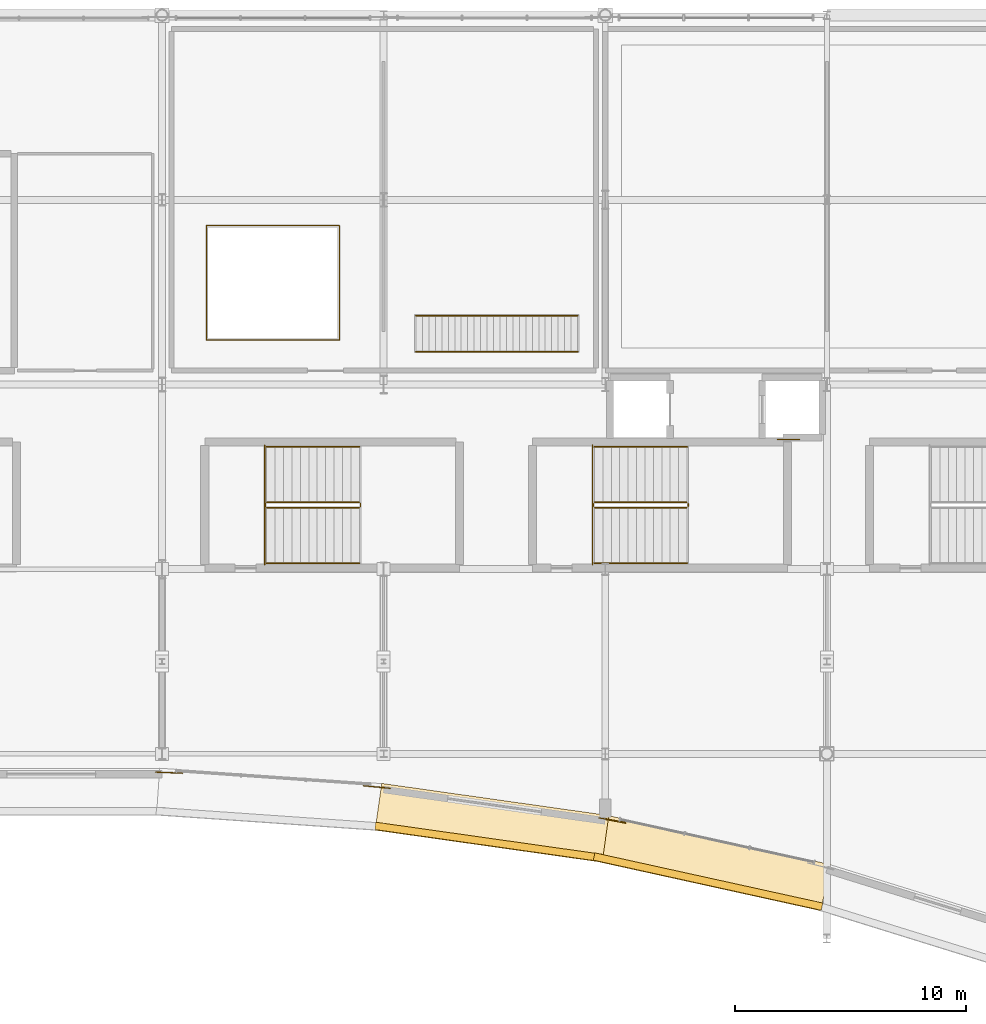
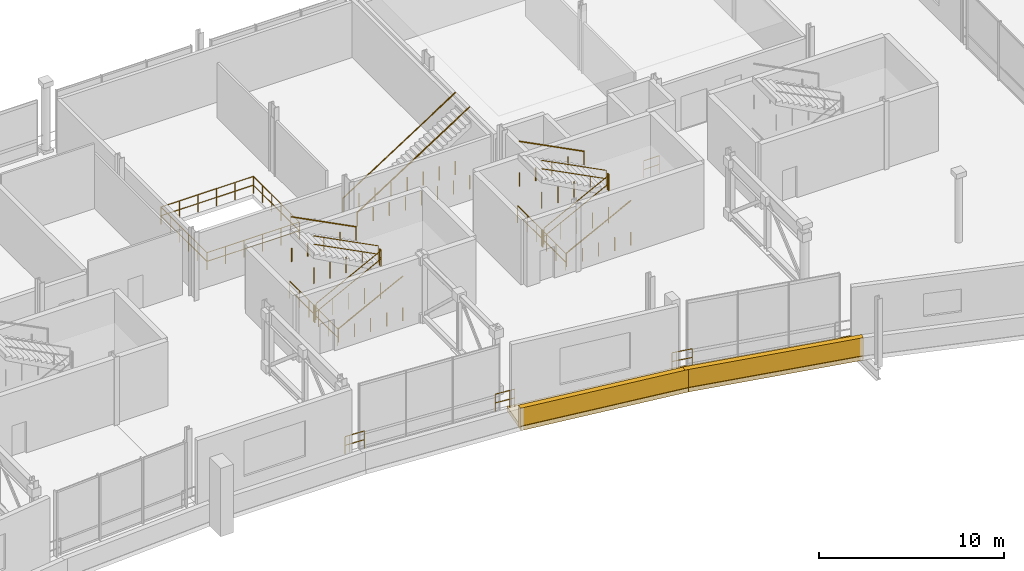
# One storey, part 178 of 193: 21 railings, 4 coverings.
"""IFC4 building model written with IfcOpenShell, lengths in metres."""

import ifcopenshell
import ifcopenshell.guid

model = None  # the IFC model being written
_history = None  # IfcOwnerHistory: only IFC2X3 demands one
_inside = {}  # id of a spatial element -> (the spatial element, [elements in it])
_under = {}  # id of a project, library or spatial element -> (it, [spatial elements below it])
_declared = {}  # id of a project -> (the project, [libraries it declares])
_typed = {}  # id of a type object -> (the type object, [elements of that type])
_made_of = {}  # id of a material, layer set ... -> (it, [elements and type objects made of it])


def new_model(schema):
    """Start an empty IFC model of exactly this schema.

    Asked for "IFC4X3", IfcOpenShell would pick the latest addendum, in which some entities
    have other attributes; the version numbers below select the first issue.
    IFC2X3 requires an IfcOwnerHistory on every rooted entity: one is made here for all.
    """
    global model, _history
    if schema == "IFC4X3":
        model = ifcopenshell.file(schema_version=(4, 3, 0, 0))
    else:
        model = ifcopenshell.file(schema=schema)
    _inside.clear()
    _under.clear()
    _declared.clear()
    _typed.clear()
    _made_of.clear()
    _history = None
    if model.schema == "IFC2X3":
        org = make("IfcOrganization", Name="unknown")
        user = make(
            "IfcPersonAndOrganization",
            ThePerson=make("IfcPerson", FamilyName="unknown"),
            TheOrganization=org,
        )
        app = make(
            "IfcApplication",
            ApplicationDeveloper=org,
            Version="unknown",
            ApplicationFullName="unknown",
            ApplicationIdentifier="unknown",
        )
        _history = make(
            "IfcOwnerHistory",
            OwningUser=user,
            OwningApplication=app,
            ChangeAction="ADDED",
            CreationDate=0,
        )
    return model


def make(cls, **values):
    """One entity of the class cls with the attributes given. An attribute that is None is left unset."""
    return model.create_entity(
        cls, **{name: value for name, value in values.items() if value is not None}
    )


def rooted(cls, **values):
    """An entity with a GlobalId (a new one), such as an element, a storey or a relation."""
    return make(cls, GlobalId=ifcopenshell.guid.new(), OwnerHistory=_history, **values)


def si_unit(unit_type, name, prefix=None):
    """IfcSIUnit, for example si_unit("LENGTHUNIT", "METRE", prefix="MILLI")."""
    return make("IfcSIUnit", UnitType=unit_type, Prefix=prefix, Name=name)


def assignment(units):
    """IfcUnitAssignment: the units of a project."""
    return None if units is None else make("IfcUnitAssignment", Units=units)


def point(xyz):
    """IfcCartesianPoint."""
    return None if xyz is None else make("IfcCartesianPoint", Coordinates=xyz)


def direction(xyz):
    """IfcDirection."""
    return None if xyz is None else make("IfcDirection", DirectionRatios=xyz)


def frame(location, z_axis=None, x_axis=None):
    """IfcAxis2Placement3D, a coordinate frame: its origin and axes. An axis left out is left unset."""
    return make(
        "IfcAxis2Placement3D",
        Location=point(location),
        Axis=direction(z_axis),
        RefDirection=direction(x_axis),
    )


def frame_2d(location, x_axis=None):
    """IfcAxis2Placement2D, a coordinate frame in the plane: its origin and x axis."""
    return make(
        "IfcAxis2Placement2D", Location=point(location), RefDirection=direction(x_axis)
    )


def origin():
    """The frame at (0, 0, 0) with its axes left unset."""
    return frame((0.0, 0.0, 0.0))


def origin_2d():
    """The frame at (0, 0) in the plane with its x axis left unset."""
    return frame_2d((0.0, 0.0))


def place(relative_to, where):
    """IfcLocalPlacement: puts the frame where relative to a parent placement (None: the world)."""
    return make(
        "IfcLocalPlacement", PlacementRelTo=relative_to, RelativePlacement=where
    )


def context(
    kind, dimensions, precision=None, world=None, true_north=None, identifier=None
):
    """IfcGeometricRepresentationContext, for example the 3D "Model" context."""
    return make(
        "IfcGeometricRepresentationContext",
        ContextIdentifier=identifier,
        ContextType=kind,
        CoordinateSpaceDimension=dimensions,
        Precision=precision,
        WorldCoordinateSystem=world,
        TrueNorth=true_north,
    )


def subcontext(parent, identifier, kind, view, scale=None):
    """IfcGeometricRepresentationSubContext, for example "Body" below "Model"."""
    return make(
        "IfcGeometricRepresentationSubContext",
        ContextIdentifier=identifier,
        ContextType=kind,
        ParentContext=parent,
        TargetScale=scale,
        TargetView=view,
    )


def project(units=None, contexts=None):
    """IfcProject with its units and contexts."""
    return rooted(
        "IfcProject",
        Name="project",
        RepresentationContexts=contexts,
        UnitsInContext=assignment(units),
    )


def spatial(cls, under=None, at=None, **own):
    """A site, building, storey or space (cls), placed at a placement, below another one or the project."""
    s = rooted(cls, ObjectPlacement=at, **own)
    if under is not None:
        _under.setdefault(under.id(), (under, []))[1].append(s)
    return s


def profile(cls, at=None, kind="AREA", **sizes):
    """A parametric profile (cls). Its sizes go by their IFC names, for example OverallWidth=200.0."""
    return make(cls, ProfileType=kind, Position=at, **sizes)


def rectangle(**sizes):
    """IfcRectangleProfileDef."""
    return profile("IfcRectangleProfileDef", **sizes)


def circle(**sizes):
    """IfcCircleProfileDef."""
    return profile("IfcCircleProfileDef", **sizes)


def extrude(swept, where, along, depth):
    """IfcExtrudedAreaSolid: the profile swept, set in the frame where, extruded along a direction by depth."""
    return make(
        "IfcExtrudedAreaSolid",
        SweptArea=swept,
        Position=where,
        ExtrudedDirection=direction(along),
        Depth=depth,
    )


def shape(context_of_items, identifier, shape_type, items):
    """IfcShapeRepresentation: the items that make up one representation, for example the "Body"."""
    return make(
        "IfcShapeRepresentation",
        ContextOfItems=context_of_items,
        RepresentationIdentifier=identifier,
        RepresentationType=shape_type,
        Items=items,
    )


def material(Name=None, Category=None):
    """IfcMaterial."""
    return make("IfcMaterial", Name=Name, Category=Category)


def layer(
    of_material, thickness, ventilated=None, Name=None, Category=None, Priority=None
):
    """IfcMaterialLayer: one layer of a wall or slab, of a material (None: an air gap)."""
    return make(
        "IfcMaterialLayer",
        Material=of_material,
        LayerThickness=thickness,
        IsVentilated=ventilated,
        Name=Name,
        Category=Category,
        Priority=Priority,
    )


def layer_set(layers, Name=None):
    """IfcMaterialLayerSet."""
    return make("IfcMaterialLayerSet", MaterialLayers=layers, LayerSetName=Name)


def made_of(thing, what):
    """Note that an element or type object is made of a material, layer set ...; save() writes the relation."""
    if what is not None:
        _made_of.setdefault(what.id(), (what, []))[1].append(thing)
    return thing


def type_object(cls, material=None, **own):
    """A type object (cls), such as IfcWallType, which elements share."""
    return made_of(rooted(cls, **own), material)


def element(
    cls,
    number,
    at=None,
    inside=None,
    cuts=None,
    type_object=None,
    material=None,
    context=None,
    identifier="Body",
    shape_type=None,
    held_by="IfcProductDefinitionShape",
    body=None,
    shapes=None,
    **own,
):
    """One element of the class cls, such as IfcWall. Its Tag is "e" and its number.

    at: its placement. inside: the storey or other place that contains it. cuts: it is an
    opening in that element (IfcRelVoidsElement). A single representation is given by context,
    identifier, shape_type and body (its items); several are given by shapes. held_by: the class
    of the entity that holds the representations. save() writes the other relations.
    """
    e = rooted(cls, Tag="e%d" % number, ObjectPlacement=at, **own)
    if body is not None:
        shapes = [shape(context, identifier, shape_type, body)]
    if shapes is not None:
        e.Representation = make(held_by, Representations=shapes)
    if inside is not None:
        _inside.setdefault(inside.id(), (inside, []))[1].append(e)
    if cuts is not None:
        rooted(
            "IfcRelVoidsElement", RelatingBuildingElement=cuts, RelatedOpeningElement=e
        )
    if type_object is not None:
        _typed.setdefault(type_object.id(), (type_object, []))[1].append(e)
    return made_of(e, material)


def aggregate(whole, parts):
    """IfcRelAggregates: a whole, such as a stair, and the parts it consists of."""
    return rooted("IfcRelAggregates", RelatingObject=whole, RelatedObjects=parts)


def save(model, path):
    """Write the relations noted so far, then the file.

    IfcRelAggregates (storeys below a building ...), IfcRelContainedInSpatialStructure (elements
    in a storey), IfcRelDefinesByType, IfcRelAssociatesMaterial and IfcRelDeclares: one each for
    every whole, place, type object, material and project.
    """
    for whole, parts in _under.values():
        aggregate(whole, parts)
    for where, things in _inside.values():
        rooted(
            "IfcRelContainedInSpatialStructure",
            RelatedElements=things,
            RelatingStructure=where,
        )
    for kind, things in _typed.values():
        rooted("IfcRelDefinesByType", RelatedObjects=things, RelatingType=kind)
    for what, things in _made_of.values():
        rooted("IfcRelAssociatesMaterial", RelatedObjects=things, RelatingMaterial=what)
    for by, libraries in _declared.values():
        rooted("IfcRelDeclares", RelatingContext=by, RelatedDefinitions=libraries)
    model.write(path)


model = new_model("IFC4")

# Units and contexts
model_context = context("Model", 3, precision=1e-05, world=origin(), true_north=direction((0.0, 1.0)))
body_context = subcontext(model_context, "Body", "Model", "MODEL_VIEW")
ifc_project = project(units=[si_unit("LENGTHUNIT", "METRE"), si_unit("AREAUNIT", "SQUARE_METRE"), si_unit("VOLUMEUNIT", "CUBIC_METRE"), si_unit("PLANEANGLEUNIT", "RADIAN"), si_unit("MASSUNIT", "GRAM", prefix="KILO")], contexts=[model_context])

# Site, building, storey
site_placement = place(None, origin())
site = spatial("IfcSite", under=ifc_project, at=site_placement, CompositionType="ELEMENT")
building_placement = place(site_placement, origin())
building = spatial("IfcBuilding", under=site, at=building_placement, Name="Danafjord Basin Convention Centre", CompositionType="ELEMENT")
storey_placement = place(building_placement, frame((0.0, 0.0, 11.39990234375)))
storey = spatial("IfcBuildingStorey", under=building, at=storey_placement, Name="L02", CompositionType="ELEMENT", Elevation=11.39990234375)

# Coverings
ifc_material_1 = material(Name="Architectural white precast concrete C45/55", Category="concrete")
ifc_layer = layer(ifc_material_1, 0.320068359375)
ifc_layer_set = layer_set([ifc_layer], Name="Architectural white precast concrete C45/55")
covering_type = type_object("IfcCoveringType", Name="COV-BAND-HORIZ", PredefinedType="CLADDING", material=ifc_layer_set)
covering_1_placement = place(storey_placement, frame((81.491455078125, 5.005126953125, -0.27978515625), z_axis=(0.0, 0.0, 1.0), x_axis=(0.990128157327, -0.140165017276, 0.0)))
element("IfcCovering", 1, at=covering_1_placement, inside=storey, type_object=covering_type, Name="L02 stepped horizontal band soffit plate 21", PredefinedType="CLADDING", context=body_context, shape_type="SweptSolid", body=[
    extrude(rectangle(XDim=9.93603515625, YDim=2.050048828125, at=origin_2d()), origin(), (0.0, 0.0, 1.0), 0.280029296875),
])
covering_2_placement = place(storey_placement, frame((81.374267578125, 4.178466796875, -0.23974609375), z_axis=(0.0, 0.0, 1.0), x_axis=(0.990128157327, -0.140165017276, 0.0)))
element("IfcCovering", 2, at=covering_2_placement, inside=storey, type_object=covering_type, Name="L02 layered horizontal white spandrel band 21", PredefinedType="CLADDING", context=body_context, shape_type="SweptSolid", body=[
    extrude(rectangle(XDim=9.97607421875, YDim=0.320068359375, at=origin_2d()), origin(), (0.0, 0.0, 1.0), 1.419921875),
])
covering_3_placement = place(storey_placement, frame((91.033447265625, 3.279541015625, -0.27978515625), z_axis=(0.0, 0.0, 1.0), x_axis=(0.976623114167, -0.214958816695, 0.0)))
element("IfcCovering", 3, at=covering_3_placement, inside=storey, type_object=covering_type, Name="L02 stepped horizontal band soffit plate 22", PredefinedType="CLADDING", context=body_context, shape_type="SweptSolid", body=[
    extrude(rectangle(XDim=10.070068359375, YDim=2.050048828125, at=origin_2d()), origin(), (0.0, 0.0, 1.0), 0.280029296875),
])
covering_4_placement = place(storey_placement, frame((90.85400390625, 2.464111328125, -0.23974609375), z_axis=(0.0, 0.0, 1.0), x_axis=(0.976623114167, -0.214958816695, 0.0)))
element("IfcCovering", 4, at=covering_4_placement, inside=storey, type_object=covering_type, Name="L02 layered horizontal white spandrel band 22", PredefinedType="CLADDING", context=body_context, shape_type="SweptSolid", body=[
    extrude(rectangle(XDim=10.110107421875, YDim=0.320068359375, at=origin_2d()), origin(), (0.0, 0.0, 1.0), 1.419921875),
])

# Railings
ifc_material_2 = material(Name="Laminated structural glass and stainless steel", Category="steel")
railing_type_1 = type_object("IfcRailingType", Name="RL-BAL-GLS", PredefinedType="BALUSTRADE", material=ifc_material_2)
railing_1_placement = place(storey_placement, frame((87.281982421875, 5.008056640625, 0.0)))
element("IfcRailing", 5, at=railing_1_placement, inside=storey, type_object=railing_type_1, Name="L02 safety guard balustrade 176", PredefinedType="BALUSTRADE", context=body_context, shape_type="SweptSolid", body=[
    extrude(circle(Radius=0.02392578125, at=origin_2d()), frame((0.0, 0.0, 1.1259765625), z_axis=(-0.98259888753, 0.185740211651, 0.0), x_axis=(-0.185740211651, -0.98259888753, 0.0)), (0.0, 0.0, 1.0), 0.88330078125),
    extrude(circle(Radius=0.02392578125, at=origin_2d()), frame((0.0, 0.0, 0.55078125), z_axis=(-0.98259888753, 0.185740211651, 0.0), x_axis=(-0.185740211651, -0.98259888753, 0.0)), (0.0, 0.0, 1.0), 0.88330078125),
    extrude(circle(Radius=0.02392578125, at=origin_2d()), frame((-0.867919921875, 0.1640625, 1.1259765625), z_axis=(-0.986183249195, 0.165658078605, 0.0), x_axis=(-0.165658078605, -0.986183249195, 0.0)), (0.0, 0.0, 1.0), 0.282958984375),
    extrude(circle(Radius=0.02392578125, at=origin_2d()), frame((-0.867919921875, 0.1640625, 0.55078125), z_axis=(-0.986183249195, 0.165658078605, 0.0), x_axis=(-0.165658078605, -0.986183249195, 0.0)), (0.0, 0.0, 1.0), 0.282958984375),
    extrude(circle(Radius=0.02099609375, at=origin_2d()), origin(), (0.0, 0.0, 1.0), 1.099853515625),
    extrude(circle(Radius=0.02099609375, at=origin_2d()), frame((-0.867919921875, 0.1640625, 0.0)), (0.0, 0.0, 1.0), 1.099853515625),
    extrude(circle(Radius=0.02099609375, at=origin_2d()), frame((-1.14697265625, 0.2109375, 0.0)), (0.0, 0.0, 1.0), 1.099853515625),
])
railing_2_placement = place(storey_placement, frame((77.089111328125, 6.5, 0.0)))
element("IfcRailing", 6, at=railing_2_placement, inside=storey, type_object=railing_type_1, Name="L02 safety guard balustrade 177", PredefinedType="BALUSTRADE", context=body_context, shape_type="SweptSolid", body=[
    extrude(circle(Radius=0.02392578125, at=origin_2d()), frame((0.0, 0.0, 1.1259765625), z_axis=(-0.993585430395, 0.113084006413, 0.0), x_axis=(-0.113084006413, -0.993585430395, 0.0)), (0.0, 0.0, 1.0), 0.28271484375),
    extrude(circle(Radius=0.02392578125, at=origin_2d()), frame((0.0, 0.0, 0.55078125), z_axis=(-0.993585430395, 0.113084006413, 0.0), x_axis=(-0.113084006413, -0.993585430395, 0.0)), (0.0, 0.0, 1.0), 0.28271484375),
    extrude(circle(Radius=0.02392578125, at=origin_2d()), frame((-0.281005859375, 0.031982421875, 1.1259765625), z_axis=(-0.995468097619, 0.095096091525, 0.0), x_axis=(-0.095096091525, -0.995468097619, 0.0)), (0.0, 0.0, 1.0), 0.883056640625),
    extrude(circle(Radius=0.02392578125, at=origin_2d()), frame((-0.281005859375, 0.031982421875, 0.55078125), z_axis=(-0.995468097619, 0.095096091525, 0.0), x_axis=(-0.095096091525, -0.995468097619, 0.0)), (0.0, 0.0, 1.0), 0.883056640625),
    extrude(circle(Radius=0.02099609375, at=origin_2d()), origin(), (0.0, 0.0, 1.0), 1.099853515625),
    extrude(circle(Radius=0.02099609375, at=origin_2d()), frame((-0.281005859375, 0.031982421875, 0.0)), (0.0, 0.0, 1.0), 1.099853515625),
    extrude(circle(Radius=0.02099609375, at=origin_2d()), frame((-1.16015625, 0.115966796875, 0.0)), (0.0, 0.0, 1.0), 1.099853515625),
])
railing_3_placement = place(storey_placement, frame((68.0849609375, 7.158935546875, 0.0)))
element("IfcRailing", 7, at=railing_3_placement, inside=storey, type_object=railing_type_1, Name="L02 safety guard balustrade 178", PredefinedType="BALUSTRADE", context=body_context, shape_type="SweptSolid", body=[
    extrude(circle(Radius=0.02392578125, at=origin_2d()), frame((0.0, 0.0, 1.1259765625), z_axis=(-0.99906915674, 0.043137223485, 0.0), x_axis=(-0.043137223485, -0.99906915674, 0.0)), (0.0, 0.0, 1.0), 0.8828125),
    extrude(circle(Radius=0.02392578125, at=origin_2d()), frame((0.0, 0.0, 0.55078125), z_axis=(-0.99906915674, 0.043137223485, 0.0), x_axis=(-0.043137223485, -0.99906915674, 0.0)), (0.0, 0.0, 1.0), 0.8828125),
    extrude(circle(Radius=0.02392578125, at=origin_2d()), frame((-0.882080078125, 0.0380859375, 1.1259765625), z_axis=(-0.999687107423, 0.025013741256, 0.0), x_axis=(-0.025013741256, -0.999687107423, 0.0)), (0.0, 0.0, 1.0), 0.282958984375),
    extrude(circle(Radius=0.02392578125, at=origin_2d()), frame((-0.882080078125, 0.0380859375, 0.55078125), z_axis=(-0.999687107423, 0.025013741256, 0.0), x_axis=(-0.025013741256, -0.999687107423, 0.0)), (0.0, 0.0, 1.0), 0.282958984375),
    extrude(circle(Radius=0.02099609375, at=origin_2d()), origin(), (0.0, 0.0, 1.0), 1.099853515625),
    extrude(circle(Radius=0.02099609375, at=origin_2d()), frame((-0.882080078125, 0.0380859375, 0.0)), (0.0, 0.0, 1.0), 1.099853515625),
    extrude(circle(Radius=0.02099609375, at=origin_2d()), frame((-1.1650390625, 0.045166015625, 0.0)), (0.0, 0.0, 1.0), 1.099853515625),
])
railing_4_placement = place(storey_placement, frame((93.85009765625, 21.6201171875, 0.0)))
element("IfcRailing", 8, at=railing_4_placement, inside=storey, type_object=railing_type_1, Name="L02 safety guard balustrade 202", PredefinedType="BALUSTRADE", context=body_context, shape_type="SweptSolid", body=[
    extrude(circle(Radius=0.02392578125, at=origin_2d()), frame((0.0, 0.0, 1.1259765625), z_axis=(1.0, 0.0, 0.0), x_axis=(0.0, 1.0, 0.0)), (0.0, 0.0, 1.0), 0.969970703125),
    extrude(circle(Radius=0.02392578125, at=origin_2d()), frame((0.0, 0.0, 0.55078125), z_axis=(1.0, 0.0, 0.0), x_axis=(0.0, 1.0, 0.0)), (0.0, 0.0, 1.0), 0.969970703125),
    extrude(circle(Radius=0.02099609375, at=origin_2d()), origin(), (0.0, 0.0, 1.0), 1.099853515625),
    extrude(circle(Radius=0.02099609375, at=origin_2d()), frame((0.969970703125, 0.0, 0.0)), (0.0, 0.0, 1.0), 1.099853515625),
])
railing_5_placement = place(storey_placement, frame((71.64990234375, 21.375, 0.0)))
element("IfcRailing", 9, at=railing_5_placement, inside=storey, type_object=railing_type_1, Name="L02 safety guard balustrade 204", PredefinedType="BALUSTRADE", context=body_context, shape_type="SweptSolid", body=[
    extrude(circle(Radius=0.02392578125, at=origin_2d()), frame((0.0, 0.0, 1.1259765625), z_axis=(0.0, -1.0, 0.0), x_axis=(1.0, 0.0, 0.0)), (0.0, 0.0, 1.0), 5.18994140625),
    extrude(circle(Radius=0.02392578125, at=origin_2d()), frame((0.0, 0.0, 0.55078125), z_axis=(0.0, -1.0, 0.0), x_axis=(1.0, 0.0, 0.0)), (0.0, 0.0, 1.0), 5.18994140625),
    extrude(circle(Radius=0.02099609375, at=origin_2d()), origin(), (0.0, 0.0, 1.0), 1.099853515625),
    extrude(circle(Radius=0.02099609375, at=origin_2d()), frame((0.0, -1.0380859375, 0.0)), (0.0, 0.0, 1.0), 1.099853515625),
    extrude(circle(Radius=0.02099609375, at=origin_2d()), frame((0.0, -2.075927734375, 0.0)), (0.0, 0.0, 1.0), 1.099853515625),
    extrude(circle(Radius=0.02099609375, at=origin_2d()), frame((0.0, -3.114013671875, 0.0)), (0.0, 0.0, 1.0), 1.099853515625),
    extrude(circle(Radius=0.02099609375, at=origin_2d()), frame((0.0, -4.15185546875, 0.0)), (0.0, 0.0, 1.0), 1.099853515625),
    extrude(circle(Radius=0.02099609375, at=origin_2d()), frame((0.0, -5.18994140625, 0.0)), (0.0, 0.0, 1.0), 1.099853515625),
])
ifc_material_3 = material(Name="Galvanised and powder-coated steel S355", Category="steel")
railing_type_2 = type_object("IfcRailingType", Name="RL-BAL-STL", PredefinedType="BALUSTRADE", material=ifc_material_3)
railing_6_placement = place(storey_placement, frame((85.85009765625, 21.375, 0.0)))
element("IfcRailing", 10, at=railing_6_placement, inside=storey, type_object=railing_type_2, Name="L02 safety guard balustrade 203", PredefinedType="BALUSTRADE", context=body_context, shape_type="SweptSolid", body=[
    extrude(circle(Radius=0.02392578125, at=origin_2d()), frame((0.0, 0.0, 1.1259765625), z_axis=(0.0, -1.0, 0.0), x_axis=(1.0, 0.0, 0.0)), (0.0, 0.0, 1.0), 5.18994140625),
    extrude(circle(Radius=0.02392578125, at=origin_2d()), frame((0.0, 0.0, 0.55078125), z_axis=(0.0, -1.0, 0.0), x_axis=(1.0, 0.0, 0.0)), (0.0, 0.0, 1.0), 5.18994140625),
    extrude(circle(Radius=0.02099609375, at=origin_2d()), origin(), (0.0, 0.0, 1.0), 1.099853515625),
    extrude(circle(Radius=0.02099609375, at=origin_2d()), frame((0.0, -1.0380859375, 0.0)), (0.0, 0.0, 1.0), 1.099853515625),
    extrude(circle(Radius=0.02099609375, at=origin_2d()), frame((0.0, -2.075927734375, 0.0)), (0.0, 0.0, 1.0), 1.099853515625),
    extrude(circle(Radius=0.02099609375, at=origin_2d()), frame((0.0, -3.114013671875, 0.0)), (0.0, 0.0, 1.0), 1.099853515625),
    extrude(circle(Radius=0.02099609375, at=origin_2d()), frame((0.0, -4.15185546875, 0.0)), (0.0, 0.0, 1.0), 1.099853515625),
    extrude(circle(Radius=0.02099609375, at=origin_2d()), frame((0.0, -5.18994140625, 0.0)), (0.0, 0.0, 1.0), 1.099853515625),
])
railing_7_placement = place(storey_placement, frame((74.8798828125, 25.919921875, 0.0)))
element("IfcRailing", 11, at=railing_7_placement, inside=storey, type_object=railing_type_2, Name="L02 safety guard balustrade 205", PredefinedType="BALUSTRADE", context=body_context, shape_type="SweptSolid", body=[
    extrude(circle(Radius=0.02392578125, at=origin_2d()), frame((0.0, 0.0, 1.1259765625), z_axis=(0.0, 1.0, 0.0), x_axis=(-1.0, 0.0, 0.0)), (0.0, 0.0, 1.0), 4.9599609375),
    extrude(circle(Radius=0.02392578125, at=origin_2d()), frame((0.0, 0.0, 0.55078125), z_axis=(0.0, 1.0, 0.0), x_axis=(-1.0, 0.0, 0.0)), (0.0, 0.0, 1.0), 4.9599609375),
    extrude(circle(Radius=0.02392578125, at=origin_2d()), frame((0.0, 4.9599609375, 1.1259765625), z_axis=(-1.0, 0.0, 0.0), x_axis=(0.0, -1.0, 0.0)), (0.0, 0.0, 1.0), 5.759765625),
    extrude(circle(Radius=0.02392578125, at=origin_2d()), frame((0.0, 4.9599609375, 0.55078125), z_axis=(-1.0, 0.0, 0.0), x_axis=(0.0, -1.0, 0.0)), (0.0, 0.0, 1.0), 5.759765625),
    extrude(circle(Radius=0.02392578125, at=origin_2d()), frame((-5.759765625, 4.9599609375, 1.1259765625), z_axis=(0.0, -1.0, 0.0), x_axis=(1.0, 0.0, 0.0)), (0.0, 0.0, 1.0), 4.9599609375),
    extrude(circle(Radius=0.02392578125, at=origin_2d()), frame((-5.759765625, 4.9599609375, 0.55078125), z_axis=(0.0, -1.0, 0.0), x_axis=(1.0, 0.0, 0.0)), (0.0, 0.0, 1.0), 4.9599609375),
    extrude(circle(Radius=0.02392578125, at=origin_2d()), frame((-5.759765625, 0.0, 1.1259765625), z_axis=(1.0, 0.0, 0.0), x_axis=(0.0, 1.0, 0.0)), (0.0, 0.0, 1.0), 5.759765625),
    extrude(circle(Radius=0.02392578125, at=origin_2d()), frame((-5.759765625, 0.0, 0.55078125), z_axis=(1.0, 0.0, 0.0), x_axis=(0.0, 1.0, 0.0)), (0.0, 0.0, 1.0), 5.759765625),
    extrude(circle(Radius=0.02099609375, at=origin_2d()), origin(), (0.0, 0.0, 1.0), 1.099853515625),
    extrude(circle(Radius=0.02099609375, at=origin_2d()), frame((0.0, 0.991943359375, 0.0)), (0.0, 0.0, 1.0), 1.099853515625),
    extrude(circle(Radius=0.02099609375, at=origin_2d()), frame((0.0, 1.98388671875, 0.0)), (0.0, 0.0, 1.0), 1.099853515625),
    extrude(circle(Radius=0.02099609375, at=origin_2d()), frame((0.0, 2.97607421875, 0.0)), (0.0, 0.0, 1.0), 1.099853515625),
    extrude(circle(Radius=0.02099609375, at=origin_2d()), frame((0.0, 3.968017578125, 0.0)), (0.0, 0.0, 1.0), 1.099853515625),
    extrude(circle(Radius=0.02099609375, at=origin_2d()), frame((0.0, 4.9599609375, 0.0)), (0.0, 0.0, 1.0), 1.099853515625),
    extrude(circle(Radius=0.02099609375, at=origin_2d()), frame((-1.15185546875, 4.9599609375, 0.0)), (0.0, 0.0, 1.0), 1.099853515625),
    extrude(circle(Radius=0.02099609375, at=origin_2d()), frame((-2.303955078125, 4.9599609375, 0.0)), (0.0, 0.0, 1.0), 1.099853515625),
    extrude(circle(Radius=0.02099609375, at=origin_2d()), frame((-3.455810546875, 4.9599609375, 0.0)), (0.0, 0.0, 1.0), 1.099853515625),
    extrude(circle(Radius=0.02099609375, at=origin_2d()), frame((-4.60791015625, 4.9599609375, 0.0)), (0.0, 0.0, 1.0), 1.099853515625),
    extrude(circle(Radius=0.02099609375, at=origin_2d()), frame((-5.759765625, 4.9599609375, 0.0)), (0.0, 0.0, 1.0), 1.099853515625),
    extrude(circle(Radius=0.02099609375, at=origin_2d()), frame((-5.759765625, 3.968017578125, 0.0)), (0.0, 0.0, 1.0), 1.099853515625),
    extrude(circle(Radius=0.02099609375, at=origin_2d()), frame((-5.759765625, 2.97607421875, 0.0)), (0.0, 0.0, 1.0), 1.099853515625),
    extrude(circle(Radius=0.02099609375, at=origin_2d()), frame((-5.759765625, 1.98388671875, 0.0)), (0.0, 0.0, 1.0), 1.099853515625),
    extrude(circle(Radius=0.02099609375, at=origin_2d()), frame((-5.759765625, 0.991943359375, 0.0)), (0.0, 0.0, 1.0), 1.099853515625),
    extrude(circle(Radius=0.02099609375, at=origin_2d()), frame((-5.759765625, 0.0, 0.0)), (0.0, 0.0, 1.0), 1.099853515625),
    extrude(circle(Radius=0.02099609375, at=origin_2d()), frame((-4.60791015625, 0.0, 0.0)), (0.0, 0.0, 1.0), 1.099853515625),
    extrude(circle(Radius=0.02099609375, at=origin_2d()), frame((-3.455810546875, 0.0, 0.0)), (0.0, 0.0, 1.0), 1.099853515625),
    extrude(circle(Radius=0.02099609375, at=origin_2d()), frame((-2.303955078125, 0.0, 0.0)), (0.0, 0.0, 1.0), 1.099853515625),
    extrude(circle(Radius=0.02099609375, at=origin_2d()), frame((-1.15185546875, 0.0, 0.0)), (0.0, 0.0, 1.0), 1.099853515625),
])
ifc_material_4 = material(Name="Galvanised steel S355", Category="steel")
railing_type_3 = type_object("IfcRailingType", Name="RL-GD-WELL", PredefinedType="BALUSTRADE", material=ifc_material_4)
railing_8_placement = place(storey_placement, frame((85.929931640625, 18.659912109375, 0.1875)))
element("IfcRailing", 12, at=railing_8_placement, inside=storey, type_object=railing_type_3, Name="L02 ST-03 stair guard 1", PredefinedType="BALUSTRADE", context=body_context, shape_type="SweptSolid", body=[
    extrude(circle(Radius=0.02392578125, at=origin_2d()), frame((0.0, 0.0, 1.076171875), z_axis=(0.889506420944, 0.0, 0.45692267081), x_axis=(0.0, 1.0, 0.0)), (0.0, 0.0, 1.0), 4.513916015625),
    extrude(circle(Radius=0.02392578125, at=origin_2d()), frame((0.0, 0.0, 0.52587890625), z_axis=(0.889506420944, 0.0, 0.45692267081), x_axis=(0.0, 1.0, 0.0)), (0.0, 0.0, 1.0), 4.513916015625),
    extrude(circle(Radius=0.02099609375, at=origin_2d()), origin(), (0.0, 0.0, 1.0), 1.050048828125),
    extrude(circle(Radius=0.02099609375, at=origin_2d()), frame((1.00390625, 0.0, 0.0)), (0.0, 0.0, 1.0), 1.050048828125),
    extrude(circle(Radius=0.02099609375, at=origin_2d()), frame((2.007568359375, 0.0, 0.0)), (0.0, 0.0, 1.0), 1.050048828125),
    extrude(circle(Radius=0.02099609375, at=origin_2d()), frame((3.01123046875, 0.0, 0.0)), (0.0, 0.0, 1.0), 1.050048828125),
    extrude(circle(Radius=0.02099609375, at=origin_2d()), frame((4.01513671875, 0.0, 0.0)), (0.0, 0.0, 1.0), 1.050048828125),
])
railing_9_placement = place(storey_placement, frame((89.9951171875, 18.7099609375, 2.25)))
element("IfcRailing", 13, at=railing_9_placement, inside=storey, type_object=railing_type_3, Name="L02 ST-03 stair guard 2", PredefinedType="BALUSTRADE", context=body_context, shape_type="SweptSolid", body=[
    extrude(circle(Radius=0.02392578125, at=origin_2d()), frame((0.0, 0.0, 1.076171875), z_axis=(0.0, 1.0, 0.0), x_axis=(-1.0, 0.0, 0.0)), (0.0, 0.0, 1.0), 0.14013671875),
    extrude(circle(Radius=0.02392578125, at=origin_2d()), frame((0.0, 0.0, 0.52587890625), z_axis=(0.0, 1.0, 0.0), x_axis=(-1.0, 0.0, 0.0)), (0.0, 0.0, 1.0), 0.14013671875),
    extrude(circle(Radius=0.02099609375, at=origin_2d()), origin(), (0.0, 0.0, 1.0), 1.050048828125),
    extrude(circle(Radius=0.02099609375, at=origin_2d()), frame((0.0, 0.14013671875, 0.0)), (0.0, 0.0, 1.0), 1.050048828125),
])
railing_10_placement = place(storey_placement, frame((89.945068359375, 18.89990234375, 2.4375)))
element("IfcRailing", 14, at=railing_10_placement, inside=storey, type_object=railing_type_3, Name="L02 ST-03 stair guard 3", PredefinedType="BALUSTRADE", context=body_context, shape_type="SweptSolid", body=[
    extrude(circle(Radius=0.02392578125, at=origin_2d()), frame((0.0, 0.0, 1.076171875), z_axis=(-0.889506420944, 0.0, 0.45692267081), x_axis=(0.0, -1.0, 0.0)), (0.0, 0.0, 1.0), 4.513916015625),
    extrude(circle(Radius=0.02392578125, at=origin_2d()), frame((0.0, 0.0, 0.52587890625), z_axis=(-0.889506420944, 0.0, 0.45692267081), x_axis=(0.0, -1.0, 0.0)), (0.0, 0.0, 1.0), 4.513916015625),
    extrude(circle(Radius=0.02099609375, at=origin_2d()), origin(), (0.0, 0.0, 1.0), 1.050048828125),
    extrude(circle(Radius=0.02099609375, at=origin_2d()), frame((-1.00390625, 0.0, 0.0)), (0.0, 0.0, 1.0), 1.050048828125),
    extrude(circle(Radius=0.02099609375, at=origin_2d()), frame((-2.007568359375, 0.0, 0.0)), (0.0, 0.0, 1.0), 1.050048828125),
    extrude(circle(Radius=0.02099609375, at=origin_2d()), frame((-3.01123046875, 0.0, 0.0)), (0.0, 0.0, 1.0), 1.050048828125),
    extrude(circle(Radius=0.02099609375, at=origin_2d()), frame((-4.01513671875, 0.0, 0.0)), (0.0, 0.0, 1.0), 1.050048828125),
])
railing_11_placement = place(storey_placement, frame((85.8798828125, 18.7099609375, 0.0)))
element("IfcRailing", 15, at=railing_11_placement, inside=storey, type_object=railing_type_3, Name="L02 ST-03 stair guard 4", PredefinedType="BALUSTRADE", context=body_context, shape_type="SweptSolid", body=[
    extrude(circle(Radius=0.02392578125, at=origin_2d()), frame((0.0, 0.0, 1.076171875), z_axis=(0.0, 1.0, 0.0), x_axis=(-1.0, 0.0, 0.0)), (0.0, 0.0, 1.0), 0.14013671875),
    extrude(circle(Radius=0.02392578125, at=origin_2d()), frame((0.0, 0.0, 0.52587890625), z_axis=(0.0, 1.0, 0.0), x_axis=(-1.0, 0.0, 0.0)), (0.0, 0.0, 1.0), 0.14013671875),
    extrude(circle(Radius=0.02099609375, at=origin_2d()), origin(), (0.0, 0.0, 1.0), 1.050048828125),
    extrude(circle(Radius=0.02099609375, at=origin_2d()), frame((0.0, 0.14013671875, 0.0)), (0.0, 0.0, 1.0), 1.050048828125),
])
railing_12_placement = place(storey_placement, frame((71.72998046875, 18.659912109375, 0.1875)))
element("IfcRailing", 16, at=railing_12_placement, inside=storey, type_object=railing_type_3, Name="L02 ST-06 stair guard 1", PredefinedType="BALUSTRADE", context=body_context, shape_type="SweptSolid", body=[
    extrude(circle(Radius=0.02392578125, at=origin_2d()), frame((0.0, 0.0, 1.076171875), z_axis=(0.889506420944, 0.0, 0.45692267081), x_axis=(0.0, 1.0, 0.0)), (0.0, 0.0, 1.0), 4.513916015625),
    extrude(circle(Radius=0.02392578125, at=origin_2d()), frame((0.0, 0.0, 0.52587890625), z_axis=(0.889506420944, 0.0, 0.45692267081), x_axis=(0.0, 1.0, 0.0)), (0.0, 0.0, 1.0), 4.513916015625),
    extrude(circle(Radius=0.02099609375, at=origin_2d()), origin(), (0.0, 0.0, 1.0), 1.050048828125),
    extrude(circle(Radius=0.02099609375, at=origin_2d()), frame((1.00390625, 0.0, 0.0)), (0.0, 0.0, 1.0), 1.050048828125),
    extrude(circle(Radius=0.02099609375, at=origin_2d()), frame((2.007568359375, 0.0, 0.0)), (0.0, 0.0, 1.0), 1.050048828125),
    extrude(circle(Radius=0.02099609375, at=origin_2d()), frame((3.01123046875, 0.0, 0.0)), (0.0, 0.0, 1.0), 1.050048828125),
    extrude(circle(Radius=0.02099609375, at=origin_2d()), frame((4.01513671875, 0.0, 0.0)), (0.0, 0.0, 1.0), 1.050048828125),
])
railing_13_placement = place(storey_placement, frame((75.794921875, 18.7099609375, 2.25)))
element("IfcRailing", 17, at=railing_13_placement, inside=storey, type_object=railing_type_3, Name="L02 ST-06 stair guard 2", PredefinedType="BALUSTRADE", context=body_context, shape_type="SweptSolid", body=[
    extrude(circle(Radius=0.02392578125, at=origin_2d()), frame((0.0, 0.0, 1.076171875), z_axis=(0.0, 1.0, 0.0), x_axis=(-1.0, 0.0, 0.0)), (0.0, 0.0, 1.0), 0.14013671875),
    extrude(circle(Radius=0.02392578125, at=origin_2d()), frame((0.0, 0.0, 0.52587890625), z_axis=(0.0, 1.0, 0.0), x_axis=(-1.0, 0.0, 0.0)), (0.0, 0.0, 1.0), 0.14013671875),
    extrude(circle(Radius=0.02099609375, at=origin_2d()), origin(), (0.0, 0.0, 1.0), 1.050048828125),
    extrude(circle(Radius=0.02099609375, at=origin_2d()), frame((0.0, 0.14013671875, 0.0)), (0.0, 0.0, 1.0), 1.050048828125),
])
railing_14_placement = place(storey_placement, frame((75.7451171875, 18.89990234375, 2.4375)))
element("IfcRailing", 18, at=railing_14_placement, inside=storey, type_object=railing_type_3, Name="L02 ST-06 stair guard 3", PredefinedType="BALUSTRADE", context=body_context, shape_type="SweptSolid", body=[
    extrude(circle(Radius=0.02392578125, at=origin_2d()), frame((0.0, 0.0, 1.076171875), z_axis=(-0.889506420944, 0.0, 0.45692267081), x_axis=(0.0, -1.0, 0.0)), (0.0, 0.0, 1.0), 4.513916015625),
    extrude(circle(Radius=0.02392578125, at=origin_2d()), frame((0.0, 0.0, 0.52587890625), z_axis=(-0.889506420944, 0.0, 0.45692267081), x_axis=(0.0, -1.0, 0.0)), (0.0, 0.0, 1.0), 4.513916015625),
    extrude(circle(Radius=0.02099609375, at=origin_2d()), origin(), (0.0, 0.0, 1.0), 1.050048828125),
    extrude(circle(Radius=0.02099609375, at=origin_2d()), frame((-1.00390625, 0.0, 0.0)), (0.0, 0.0, 1.0), 1.050048828125),
    extrude(circle(Radius=0.02099609375, at=origin_2d()), frame((-2.007568359375, 0.0, 0.0)), (0.0, 0.0, 1.0), 1.050048828125),
    extrude(circle(Radius=0.02099609375, at=origin_2d()), frame((-3.01123046875, 0.0, 0.0)), (0.0, 0.0, 1.0), 1.050048828125),
    extrude(circle(Radius=0.02099609375, at=origin_2d()), frame((-4.01513671875, 0.0, 0.0)), (0.0, 0.0, 1.0), 1.050048828125),
])
railing_15_placement = place(storey_placement, frame((71.679931640625, 18.7099609375, 0.0)))
element("IfcRailing", 19, at=railing_15_placement, inside=storey, type_object=railing_type_3, Name="L02 ST-06 stair guard 4", PredefinedType="BALUSTRADE", context=body_context, shape_type="SweptSolid", body=[
    extrude(circle(Radius=0.02392578125, at=origin_2d()), frame((0.0, 0.0, 1.076171875), z_axis=(0.0, 1.0, 0.0), x_axis=(-1.0, 0.0, 0.0)), (0.0, 0.0, 1.0), 0.14013671875),
    extrude(circle(Radius=0.02392578125, at=origin_2d()), frame((0.0, 0.0, 0.52587890625), z_axis=(0.0, 1.0, 0.0), x_axis=(-1.0, 0.0, 0.0)), (0.0, 0.0, 1.0), 0.14013671875),
    extrude(circle(Radius=0.02099609375, at=origin_2d()), origin(), (0.0, 0.0, 1.0), 1.050048828125),
    extrude(circle(Radius=0.02099609375, at=origin_2d()), frame((0.0, 0.14013671875, 0.0)), (0.0, 0.0, 1.0), 1.050048828125),
])
ifc_material_5 = material(Name="Brushed stainless steel EN 1.4404", Category="steel")
railing_type_4 = type_object("IfcRailingType", Name="RL-HR-STAIR", PredefinedType="HANDRAIL", material=ifc_material_5)
railing_16_placement = place(storey_placement, frame((85.929931640625, 16.260009765625, 0.1875)))
element("IfcRailing", 20, at=railing_16_placement, inside=storey, type_object=railing_type_4, Name="L02 ST-03 stair handrail 1", PredefinedType="HANDRAIL", context=body_context, shape_type="SweptSolid", body=[
    extrude(circle(Radius=0.02392578125, at=origin_2d()), frame((0.0, 0.0, 0.8759765625), z_axis=(0.889506420944, 0.0, 0.45692267081), x_axis=(0.0, 1.0, 0.0)), (0.0, 0.0, 1.0), 4.513916015625),
    extrude(circle(Radius=0.02099609375, at=origin_2d()), origin(), (0.0, 0.0, 1.0), 0.849853515625),
    extrude(circle(Radius=0.02099609375, at=origin_2d()), frame((1.00390625, 0.0, 0.0)), (0.0, 0.0, 1.0), 0.849853515625),
    extrude(circle(Radius=0.02099609375, at=origin_2d()), frame((2.007568359375, 0.0, 0.0)), (0.0, 0.0, 1.0), 0.849853515625),
    extrude(circle(Radius=0.02099609375, at=origin_2d()), frame((3.01123046875, 0.0, 0.0)), (0.0, 0.0, 1.0), 0.849853515625),
    extrude(circle(Radius=0.02099609375, at=origin_2d()), frame((4.01513671875, 0.0, 0.0)), (0.0, 0.0, 1.0), 0.849853515625),
])
railing_17_placement = place(storey_placement, frame((89.945068359375, 21.300048828125, 2.4375)))
element("IfcRailing", 21, at=railing_17_placement, inside=storey, type_object=railing_type_4, Name="L02 ST-03 stair handrail 2", PredefinedType="HANDRAIL", context=body_context, shape_type="SweptSolid", body=[
    extrude(circle(Radius=0.02392578125, at=origin_2d()), frame((0.0, 0.0, 0.8759765625), z_axis=(-0.889506420944, 0.0, 0.45692267081), x_axis=(0.0, -1.0, 0.0)), (0.0, 0.0, 1.0), 4.513916015625),
    extrude(circle(Radius=0.02099609375, at=origin_2d()), origin(), (0.0, 0.0, 1.0), 0.849853515625),
    extrude(circle(Radius=0.02099609375, at=origin_2d()), frame((-1.00390625, 0.0, 0.0)), (0.0, 0.0, 1.0), 0.849853515625),
    extrude(circle(Radius=0.02099609375, at=origin_2d()), frame((-2.007568359375, 0.0, 0.0)), (0.0, 0.0, 1.0), 0.849853515625),
    extrude(circle(Radius=0.02099609375, at=origin_2d()), frame((-3.01123046875, 0.0, 0.0)), (0.0, 0.0, 1.0), 0.849853515625),
    extrude(circle(Radius=0.02099609375, at=origin_2d()), frame((-4.01513671875, 0.0, 0.0)), (0.0, 0.0, 1.0), 0.849853515625),
])
railing_18_placement = place(storey_placement, frame((71.72998046875, 16.260009765625, 0.1875)))
element("IfcRailing", 22, at=railing_18_placement, inside=storey, type_object=railing_type_4, Name="L02 ST-06 stair handrail 1", PredefinedType="HANDRAIL", context=body_context, shape_type="SweptSolid", body=[
    extrude(circle(Radius=0.02392578125, at=origin_2d()), frame((0.0, 0.0, 0.8759765625), z_axis=(0.889506420944, 0.0, 0.45692267081), x_axis=(0.0, 1.0, 0.0)), (0.0, 0.0, 1.0), 4.513916015625),
    extrude(circle(Radius=0.02099609375, at=origin_2d()), origin(), (0.0, 0.0, 1.0), 0.849853515625),
    extrude(circle(Radius=0.02099609375, at=origin_2d()), frame((1.00390625, 0.0, 0.0)), (0.0, 0.0, 1.0), 0.849853515625),
    extrude(circle(Radius=0.02099609375, at=origin_2d()), frame((2.007568359375, 0.0, 0.0)), (0.0, 0.0, 1.0), 0.849853515625),
    extrude(circle(Radius=0.02099609375, at=origin_2d()), frame((3.01123046875, 0.0, 0.0)), (0.0, 0.0, 1.0), 0.849853515625),
    extrude(circle(Radius=0.02099609375, at=origin_2d()), frame((4.01513671875, 0.0, 0.0)), (0.0, 0.0, 1.0), 0.849853515625),
])
railing_19_placement = place(storey_placement, frame((75.7451171875, 21.300048828125, 2.4375)))
element("IfcRailing", 23, at=railing_19_placement, inside=storey, type_object=railing_type_4, Name="L02 ST-06 stair handrail 2", PredefinedType="HANDRAIL", context=body_context, shape_type="SweptSolid", body=[
    extrude(circle(Radius=0.02392578125, at=origin_2d()), frame((0.0, 0.0, 0.8759765625), z_axis=(-0.889506420944, 0.0, 0.45692267081), x_axis=(0.0, -1.0, 0.0)), (0.0, 0.0, 1.0), 4.513916015625),
    extrude(circle(Radius=0.02099609375, at=origin_2d()), origin(), (0.0, 0.0, 1.0), 0.849853515625),
    extrude(circle(Radius=0.02099609375, at=origin_2d()), frame((-1.00390625, 0.0, 0.0)), (0.0, 0.0, 1.0), 0.849853515625),
    extrude(circle(Radius=0.02099609375, at=origin_2d()), frame((-2.007568359375, 0.0, 0.0)), (0.0, 0.0, 1.0), 0.849853515625),
    extrude(circle(Radius=0.02099609375, at=origin_2d()), frame((-3.01123046875, 0.0, 0.0)), (0.0, 0.0, 1.0), 0.849853515625),
    extrude(circle(Radius=0.02099609375, at=origin_2d()), frame((-4.01513671875, 0.0, 0.0)), (0.0, 0.0, 1.0), 0.849853515625),
])
for number, where, name in (
    (24, (78.199951171875, 26.97509765625, 0.0), "East Concourse Terrace Stair handrail L"),
    (25, (78.199951171875, 25.425048828125, 0.0), "East Concourse Terrace Stair handrail R"),
):
    element("IfcRailing", number, at=place(storey_placement, frame(where)), inside=storey, type_object=railing_type_4, Name=name, PredefinedType="HANDRAIL", context=body_context, shape_type="SweptSolid", body=[
        extrude(circle(Radius=0.02392578125, at=origin_2d()), frame((0.0, 0.0, 0.89599609375), z_axis=(0.841178475377, 0.0, 0.540757591313), x_axis=(0.0, 1.0, 0.0)), (0.0, 0.0, 1.0), 8.32177734375),
        extrude(circle(Radius=0.02099609375, at=origin_2d()), origin(), (0.0, 0.0, 1.0), 0.869873046875),
        extrude(circle(Radius=0.02099609375, at=origin_2d()), frame((1.0, 0.0, 0.0)), (0.0, 0.0, 1.0), 0.869873046875),
        extrude(circle(Radius=0.02099609375, at=origin_2d()), frame((2.0, 0.0, 0.0)), (0.0, 0.0, 1.0), 0.869873046875),
        extrude(circle(Radius=0.02099609375, at=origin_2d()), frame((3.0, 0.0, 0.0)), (0.0, 0.0, 1.0), 0.869873046875),
        extrude(circle(Radius=0.02099609375, at=origin_2d()), frame((4.0, 0.0, 0.0)), (0.0, 0.0, 1.0), 0.869873046875),
        extrude(circle(Radius=0.02099609375, at=origin_2d()), frame((5.0, 0.0, 0.0)), (0.0, 0.0, 1.0), 0.869873046875),
        extrude(circle(Radius=0.02099609375, at=origin_2d()), frame((6.0, 0.0, 0.0)), (0.0, 0.0, 1.0), 0.869873046875),
        extrude(circle(Radius=0.02099609375, at=origin_2d()), frame((7.0, 0.0, 0.0)), (0.0, 0.0, 1.0), 0.869873046875),
    ])

save(model, "model.ifc")
